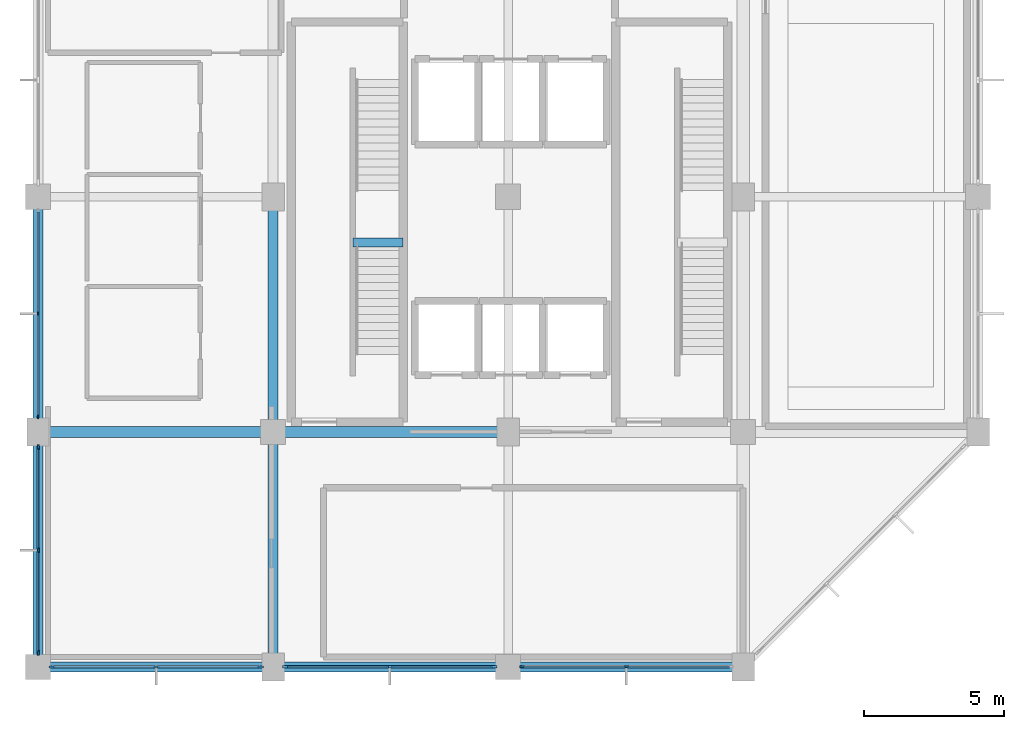
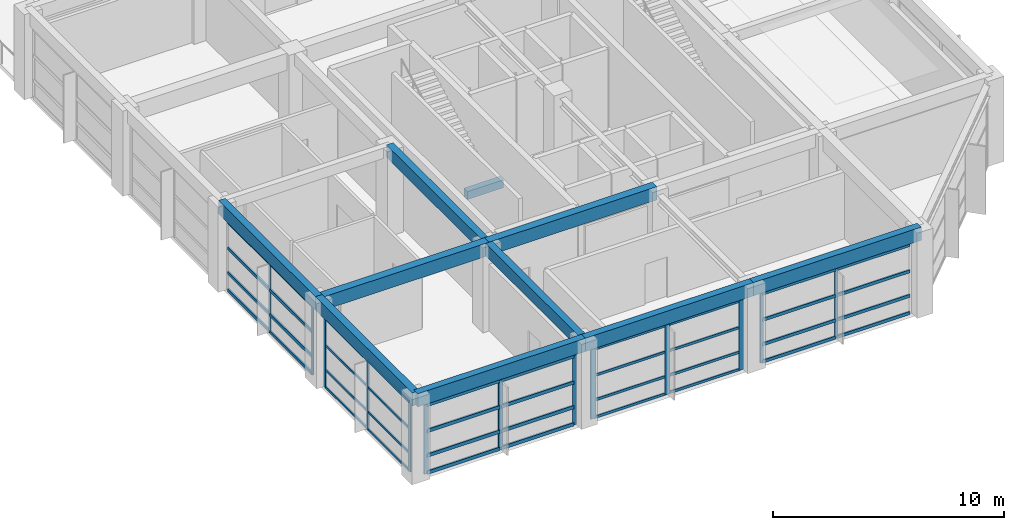
# One storey, part 2 of 10: 53 members, 10 beams, 5 elements without a shape of their own.
"""IFC4 building model written with IfcOpenShell, lengths in metres."""

from ifc_helpers import new_model, si_unit, direction, frame, origin, origin_2d, place, context, subcontext, project, spatial, rectangle, extrude, material, material_profile, profile_set, type_object, element, aggregate, save


model = new_model("IFC4")

# Units and contexts
model_context = context("Model", 3, precision=1e-05, world=origin(), true_north=direction((0.0, 1.0)))
body_context = subcontext(model_context, "Body", "Model", "MODEL_VIEW")
ifc_project = project(units=[si_unit("LENGTHUNIT", "METRE"), si_unit("AREAUNIT", "SQUARE_METRE"), si_unit("VOLUMEUNIT", "CUBIC_METRE"), si_unit("PLANEANGLEUNIT", "RADIAN"), si_unit("MASSUNIT", "GRAM", prefix="KILO")], contexts=[model_context])

# Site, building, storey
site_placement = place(None, origin())
site = spatial("IfcSite", under=ifc_project, at=site_placement, CompositionType="ELEMENT")
building_placement = place(site_placement, origin())
building = spatial("IfcBuilding", under=site, at=building_placement, Name="Xuanlan Plaza Opera House", CompositionType="ELEMENT")
storey_placement = place(building_placement, frame((0.0, 0.0, 69.89990234375)))
storey = spatial("IfcBuildingStorey", under=building, at=storey_placement, Name="L16", CompositionType="ELEMENT", Elevation=69.89990234375)

# Curtain wall, members
ifc_material_1 = material(Name="Anodised Aluminium 6063-T6 and Low-E Glass", Category="aluminium")
curtain_wall_type_1 = type_object("IfcCurtainWallType", Name="ENV-CW-CW-01", PredefinedType="USERDEFINED", material=ifc_material_1)
curtain_wall_1_placement = place(storey_placement, origin())
curtain_wall_1 = element("IfcCurtainWall", 1, at=curtain_wall_1_placement, inside=storey, type_object=curtain_wall_type_1, Name="Unitised Curtain Wall L16-003", ObjectType="UNITISED CURTAIN WALL", PredefinedType="USERDEFINED")
ifc_material_2 = material(Name="Anodised Aluminium 6063-T6", Category="aluminium")
ifc_material_profile_1 = material_profile(ifc_material_2, rectangle(XDim=0.06494140625, YDim=0.159912109375, at=origin_2d()), Name="ALU-M 65x160")
ifc_profile_set_1 = profile_set([ifc_material_profile_1], Name="Anodised Aluminium 6063-T6")
member_type_1 = type_object("IfcMemberType", Name="ENV-CWM-01", PredefinedType="MULLION", material=ifc_profile_set_1)
member_1_placement = place(storey_placement, frame((143.302490234375, 42.0, 0.0), z_axis=(0.0, 0.0, 1.0), x_axis=(0.0, 1.0, 0.0)))
member_1 = element("IfcMember", 2, at=member_1_placement, type_object=member_type_1, Name="CW-01 mullion 1", PredefinedType="MULLION", context=body_context, shape_type="SweptSolid", body=[
    extrude(rectangle(XDim=0.06494140625, YDim=0.159912109375, at=origin_2d()), origin(), (0.0, 0.0, 1.0), 3.68017578125),
])
member_2_placement = place(storey_placement, frame((147.02490234375, 42.0, 0.0), z_axis=(0.0, 0.0, 1.0), x_axis=(0.0, 1.0, 0.0)))
member_2 = element("IfcMember", 3, at=member_2_placement, type_object=member_type_1, Name="CW-01 mullion 2", PredefinedType="MULLION", context=body_context, shape_type="SweptSolid", body=[
    extrude(rectangle(XDim=0.06494140625, YDim=0.159912109375, at=origin_2d()), origin(), (0.0, 0.0, 1.0), 3.68017578125),
])

curtain_wall_type_2 = type_object("IfcCurtainWallType", Name="ENV-CW-CW-03", PredefinedType="USERDEFINED", material=ifc_material_1)
curtain_wall_2_placement = place(storey_placement, origin())
curtain_wall_2 = element("IfcCurtainWall", 4, at=curtain_wall_2_placement, inside=storey, type_object=curtain_wall_type_2, Name="Unitised Curtain Wall L16-013", ObjectType="UNITISED CURTAIN WALL", PredefinedType="USERDEFINED")
member_3_placement = place(storey_placement, frame((126.0, 54.625, 0.0), z_axis=(0.0, 0.0, 1.0), x_axis=(1.0, 0.0, 0.0)))
member_3 = element("IfcMember", 5, at=member_3_placement, type_object=member_type_1, Name="CW-03 mullion 2", PredefinedType="MULLION", context=body_context, shape_type="SweptSolid", body=[
    extrude(rectangle(XDim=0.06494140625, YDim=0.159912109375, at=origin_2d()), origin(), (0.0, 0.0, 1.0), 3.68017578125),
])
member_4_placement = place(storey_placement, frame((126.0, 50.952392578125, 0.0), z_axis=(0.0, 0.0, 1.0), x_axis=(1.0, 0.0, 0.0)))
member_4 = element("IfcMember", 6, at=member_4_placement, type_object=member_type_1, Name="CW-03 mullion 3", PredefinedType="MULLION", context=body_context, shape_type="SweptSolid", body=[
    extrude(rectangle(XDim=0.06494140625, YDim=0.159912109375, at=origin_2d()), origin(), (0.0, 0.0, 1.0), 3.68017578125),
])

curtain_wall_type_3 = type_object("IfcCurtainWallType", Name="ENV-CW-CW-04", PredefinedType="USERDEFINED", material=ifc_material_1)
curtain_wall_3_placement = place(storey_placement, origin())
curtain_wall_3 = element("IfcCurtainWall", 7, at=curtain_wall_3_placement, inside=storey, type_object=curtain_wall_type_3, Name="Unitised Curtain Wall L16-014", ObjectType="UNITISED CURTAIN WALL", PredefinedType="USERDEFINED")
ifc_material_profile_2 = material_profile(ifc_material_2, rectangle(XDim=0.070068359375, YDim=0.179931640625, at=origin_2d()), Name="ALU-M 70x180")
ifc_profile_set_2 = profile_set([ifc_material_profile_2], Name="Anodised Aluminium 6063-T6")
member_type_2 = type_object("IfcMemberType", Name="ENV-CWM-02", PredefinedType="MULLION", material=ifc_profile_set_2)
member_5_placement = place(storey_placement, frame((126.0, 49.844970703125, 0.0), z_axis=(0.0, 0.0, 1.0), x_axis=(1.0, 0.0, 0.0)))
member_5 = element("IfcMember", 8, at=member_5_placement, type_object=member_type_2, Name="CW-04 mullion 1", PredefinedType="MULLION", context=body_context, shape_type="SweptSolid", body=[
    extrude(rectangle(XDim=0.070068359375, YDim=0.179931640625, at=origin_2d()), origin(), (0.0, 0.0, 1.0), 3.68017578125),
])
member_6_placement = place(storey_placement, frame((126.0, 46.175048828125, 0.0), z_axis=(0.0, 0.0, 1.0), x_axis=(1.0, 0.0, 0.0)))
member_6 = element("IfcMember", 9, at=member_6_placement, type_object=member_type_2, Name="CW-04 mullion 2", PredefinedType="MULLION", context=body_context, shape_type="SweptSolid", body=[
    extrude(rectangle(XDim=0.070068359375, YDim=0.179931640625, at=origin_2d()), origin(), (0.0, 0.0, 1.0), 3.68017578125),
])
member_7_placement = place(storey_placement, frame((126.0, 42.5048828125, 0.0), z_axis=(0.0, 0.0, 1.0), x_axis=(1.0, 0.0, 0.0)))
member_7 = element("IfcMember", 10, at=member_7_placement, type_object=member_type_2, Name="CW-04 mullion 3", PredefinedType="MULLION", context=body_context, shape_type="SweptSolid", body=[
    extrude(rectangle(XDim=0.070068359375, YDim=0.179931640625, at=origin_2d()), origin(), (0.0, 0.0, 1.0), 3.68017578125),
])

curtain_wall_4_placement = place(storey_placement, origin())
curtain_wall_4 = element("IfcCurtainWall", 11, at=curtain_wall_4_placement, inside=storey, type_object=curtain_wall_type_2, Name="Unitised Curtain Wall L16-001", ObjectType="UNITISED CURTAIN WALL", PredefinedType="USERDEFINED")
ifc_material_profile_3 = material_profile(ifc_material_2, rectangle(XDim=0.080078125, YDim=0.219970703125, at=origin_2d()), Name="ALU-M 80x220")
ifc_profile_set_3 = profile_set([ifc_material_profile_3], Name="Anodised Aluminium 6063-T6")
member_type_3 = type_object("IfcMemberType", Name="ENV-CWM-04", PredefinedType="MULLION", material=ifc_profile_set_3)
member_8_placement = place(storey_placement, frame((126.510009765625, 42.0, 0.0), z_axis=(0.0, 0.0, 1.0), x_axis=(0.0, 1.0, 0.0)))
member_8 = element("IfcMember", 12, at=member_8_placement, type_object=member_type_3, Name="CW-03 mullion 1", PredefinedType="MULLION", context=body_context, shape_type="SweptSolid", body=[
    extrude(rectangle(XDim=0.080078125, YDim=0.219970703125, at=origin_2d()), origin(), (0.0, 0.0, 1.0), 3.68017578125),
])
member_9_placement = place(storey_placement, frame((130.22509765625, 42.0, 0.0), z_axis=(0.0, 0.0, 1.0), x_axis=(0.0, 1.0, 0.0)))
member_9 = element("IfcMember", 13, at=member_9_placement, type_object=member_type_3, Name="CW-03 mullion 2", PredefinedType="MULLION", context=body_context, shape_type="SweptSolid", body=[
    extrude(rectangle(XDim=0.080078125, YDim=0.219970703125, at=origin_2d()), origin(), (0.0, 0.0, 1.0), 3.68017578125),
])
member_10_placement = place(storey_placement, frame((133.93994140625, 42.0, 0.0), z_axis=(0.0, 0.0, 1.0), x_axis=(0.0, 1.0, 0.0)))
member_10 = element("IfcMember", 14, at=member_10_placement, type_object=member_type_3, Name="CW-03 mullion 3", PredefinedType="MULLION", context=body_context, shape_type="SweptSolid", body=[
    extrude(rectangle(XDim=0.080078125, YDim=0.219970703125, at=origin_2d()), origin(), (0.0, 0.0, 1.0), 3.68017578125),
])

curtain_wall_5_placement = place(storey_placement, origin())
curtain_wall_5 = element("IfcCurtainWall", 15, at=curtain_wall_5_placement, inside=storey, type_object=curtain_wall_type_3, Name="Unitised Curtain Wall L16-002", ObjectType="UNITISED CURTAIN WALL", PredefinedType="USERDEFINED")
ifc_material_profile_4 = material_profile(ifc_material_2, rectangle(XDim=0.090087890625, YDim=0.25, at=origin_2d()), Name="ALU-M 90x250")
ifc_profile_set_4 = profile_set([ifc_material_profile_4], Name="Anodised Aluminium 6063-T6")
member_type_4 = type_object("IfcMemberType", Name="ENV-CWM-05", PredefinedType="MULLION", material=ifc_profile_set_4)
member_11_placement = place(storey_placement, frame((134.864990234375, 42.0, 0.0), z_axis=(0.0, 0.0, 1.0), x_axis=(0.0, 1.0, 0.0)))
member_11 = element("IfcMember", 16, at=member_11_placement, type_object=member_type_4, Name="CW-04 mullion 1", PredefinedType="MULLION", context=body_context, shape_type="SweptSolid", body=[
    extrude(rectangle(XDim=0.090087890625, YDim=0.25, at=origin_2d()), origin(), (0.0, 0.0, 1.0), 3.68017578125),
])
member_12_placement = place(storey_placement, frame((138.574951171875, 42.0, 0.0), z_axis=(0.0, 0.0, 1.0), x_axis=(0.0, 1.0, 0.0)))
member_12 = element("IfcMember", 17, at=member_12_placement, type_object=member_type_4, Name="CW-04 mullion 2", PredefinedType="MULLION", context=body_context, shape_type="SweptSolid", body=[
    extrude(rectangle(XDim=0.090087890625, YDim=0.25, at=origin_2d()), origin(), (0.0, 0.0, 1.0), 3.68017578125),
])
member_13_placement = place(storey_placement, frame((142.284912109375, 42.0, 0.0), z_axis=(0.0, 0.0, 1.0), x_axis=(0.0, 1.0, 0.0)))
member_13 = element("IfcMember", 18, at=member_13_placement, type_object=member_type_4, Name="CW-04 mullion 3", PredefinedType="MULLION", context=body_context, shape_type="SweptSolid", body=[
    extrude(rectangle(XDim=0.090087890625, YDim=0.25, at=origin_2d()), origin(), (0.0, 0.0, 1.0), 3.68017578125),
])

# Member
ifc_material_profile_5 = material_profile(ifc_material_2, rectangle(XDim=0.06494140625, YDim=0.1201171875, at=origin_2d()), Name="ALU-T 65x120")
ifc_profile_set_5 = profile_set([ifc_material_profile_5], Name="Anodised Aluminium 6063-T6")
member_type_5 = type_object("IfcMemberType", Name="ENV-CWT-01", PredefinedType="USERDEFINED", material=ifc_profile_set_5)
member_14_placement = place(storey_placement, frame((126.0, 49.81005859375, 0.03271484375), z_axis=(0.0, -1.0, 0.0), x_axis=(1.0, 0.0, 0.0)))
member_14 = element("IfcMember", 19, at=member_14_placement, type_object=member_type_5, Name="CW-04 transom 1.1", ObjectType="TRANSOM", PredefinedType="USERDEFINED", context=body_context, shape_type="SweptSolid", body=[
    extrude(rectangle(XDim=0.06494140625, YDim=0.1201171875, at=origin_2d()), origin(), (0.0, 0.0, 1.0), 3.60009765625),
])

member_15_placement = place(storey_placement, frame((126.0, 49.81005859375, 0.9501953125), z_axis=(0.0, -1.0, 0.0), x_axis=(1.0, 0.0, 0.0)))
member_15 = element("IfcMember", 20, at=member_15_placement, type_object=member_type_5, Name="CW-04 transom 1.2", ObjectType="TRANSOM", PredefinedType="USERDEFINED", context=body_context, shape_type="SweptSolid", body=[
    extrude(rectangle(XDim=0.06494140625, YDim=0.1201171875, at=origin_2d()), origin(), (0.0, 0.0, 1.0), 3.60009765625),
])

member_16_placement = place(storey_placement, frame((126.0, 49.81005859375, 2.25), z_axis=(0.0, -1.0, 0.0), x_axis=(1.0, 0.0, 0.0)))
member_16 = element("IfcMember", 21, at=member_16_placement, type_object=member_type_5, Name="CW-04 transom 1.3", ObjectType="TRANSOM", PredefinedType="USERDEFINED", context=body_context, shape_type="SweptSolid", body=[
    extrude(rectangle(XDim=0.06494140625, YDim=0.1201171875, at=origin_2d()), origin(), (0.0, 0.0, 1.0), 3.60009765625),
])

member_17_placement = place(storey_placement, frame((126.0, 49.81005859375, 3.647705078125), z_axis=(0.0, -1.0, 0.0), x_axis=(1.0, 0.0, 0.0)))
member_17 = element("IfcMember", 22, at=member_17_placement, type_object=member_type_5, Name="CW-04 transom 1.4", ObjectType="TRANSOM", PredefinedType="USERDEFINED", context=body_context, shape_type="SweptSolid", body=[
    extrude(rectangle(XDim=0.06494140625, YDim=0.1201171875, at=origin_2d()), origin(), (0.0, 0.0, 1.0), 3.60009765625),
])

member_18_placement = place(storey_placement, frame((126.0, 46.139892578125, 0.03271484375), z_axis=(0.0, -1.0, 0.0), x_axis=(1.0, 0.0, 0.0)))
member_18 = element("IfcMember", 23, at=member_18_placement, type_object=member_type_5, Name="CW-04 transom 2.1", ObjectType="TRANSOM", PredefinedType="USERDEFINED", context=body_context, shape_type="SweptSolid", body=[
    extrude(rectangle(XDim=0.06494140625, YDim=0.1201171875, at=origin_2d()), origin(), (0.0, 0.0, 1.0), 3.599853515625),
])

member_19_placement = place(storey_placement, frame((126.0, 46.139892578125, 0.9501953125), z_axis=(0.0, -1.0, 0.0), x_axis=(1.0, 0.0, 0.0)))
member_19 = element("IfcMember", 24, at=member_19_placement, type_object=member_type_5, Name="CW-04 transom 2.2", ObjectType="TRANSOM", PredefinedType="USERDEFINED", context=body_context, shape_type="SweptSolid", body=[
    extrude(rectangle(XDim=0.06494140625, YDim=0.1201171875, at=origin_2d()), origin(), (0.0, 0.0, 1.0), 3.599853515625),
])

member_20_placement = place(storey_placement, frame((126.0, 46.139892578125, 2.25), z_axis=(0.0, -1.0, 0.0), x_axis=(1.0, 0.0, 0.0)))
member_20 = element("IfcMember", 25, at=member_20_placement, type_object=member_type_5, Name="CW-04 transom 2.3", ObjectType="TRANSOM", PredefinedType="USERDEFINED", context=body_context, shape_type="SweptSolid", body=[
    extrude(rectangle(XDim=0.06494140625, YDim=0.1201171875, at=origin_2d()), origin(), (0.0, 0.0, 1.0), 3.599853515625),
])

member_21_placement = place(storey_placement, frame((126.0, 46.139892578125, 3.647705078125), z_axis=(0.0, -1.0, 0.0), x_axis=(1.0, 0.0, 0.0)))
member_21 = element("IfcMember", 26, at=member_21_placement, type_object=member_type_5, Name="CW-04 transom 2.4", ObjectType="TRANSOM", PredefinedType="USERDEFINED", context=body_context, shape_type="SweptSolid", body=[
    extrude(rectangle(XDim=0.06494140625, YDim=0.1201171875, at=origin_2d()), origin(), (0.0, 0.0, 1.0), 3.599853515625),
])

aggregate(curtain_wall_3, [member_5, member_6, member_7, member_14, member_15, member_16, member_17, member_18, member_19, member_20, member_21])

ifc_material_profile_6 = material_profile(ifc_material_2, rectangle(XDim=0.070068359375, YDim=0.135009765625, at=origin_2d()), Name="ALU-T 70x135")
ifc_profile_set_6 = profile_set([ifc_material_profile_6], Name="Anodised Aluminium 6063-T6")
member_type_6 = type_object("IfcMemberType", Name="ENV-CWT-02", PredefinedType="USERDEFINED", material=ifc_profile_set_6)
member_22_placement = place(storey_placement, frame((134.909912109375, 42.0, 0.03515625), z_axis=(1.0, 0.0, 0.0), x_axis=(0.0, 1.0, 0.0)))
member_22 = element("IfcMember", 27, at=member_22_placement, type_object=member_type_6, Name="CW-04 transom 1.1", ObjectType="TRANSOM", PredefinedType="USERDEFINED", context=body_context, shape_type="SweptSolid", body=[
    extrude(rectangle(XDim=0.070068359375, YDim=0.135009765625, at=origin_2d()), origin(), (0.0, 0.0, 1.0), 3.6201171875),
])

member_23_placement = place(storey_placement, frame((134.909912109375, 42.0, 0.9501953125), z_axis=(1.0, 0.0, 0.0), x_axis=(0.0, 1.0, 0.0)))
member_23 = element("IfcMember", 28, at=member_23_placement, type_object=member_type_6, Name="CW-04 transom 1.2", ObjectType="TRANSOM", PredefinedType="USERDEFINED", context=body_context, shape_type="SweptSolid", body=[
    extrude(rectangle(XDim=0.070068359375, YDim=0.135009765625, at=origin_2d()), origin(), (0.0, 0.0, 1.0), 3.6201171875),
])

member_24_placement = place(storey_placement, frame((134.909912109375, 42.0, 2.25), z_axis=(1.0, 0.0, 0.0), x_axis=(0.0, 1.0, 0.0)))
member_24 = element("IfcMember", 29, at=member_24_placement, type_object=member_type_6, Name="CW-04 transom 1.3", ObjectType="TRANSOM", PredefinedType="USERDEFINED", context=body_context, shape_type="SweptSolid", body=[
    extrude(rectangle(XDim=0.070068359375, YDim=0.135009765625, at=origin_2d()), origin(), (0.0, 0.0, 1.0), 3.6201171875),
])

member_25_placement = place(storey_placement, frame((134.909912109375, 42.0, 3.64501953125), z_axis=(1.0, 0.0, 0.0), x_axis=(0.0, 1.0, 0.0)))
member_25 = element("IfcMember", 30, at=member_25_placement, type_object=member_type_6, Name="CW-04 transom 1.4", ObjectType="TRANSOM", PredefinedType="USERDEFINED", context=body_context, shape_type="SweptSolid", body=[
    extrude(rectangle(XDim=0.070068359375, YDim=0.135009765625, at=origin_2d()), origin(), (0.0, 0.0, 1.0), 3.6201171875),
])

member_26_placement = place(storey_placement, frame((138.6201171875, 42.0, 0.03515625), z_axis=(1.0, 0.0, 0.0), x_axis=(0.0, 1.0, 0.0)))
member_26 = element("IfcMember", 31, at=member_26_placement, type_object=member_type_6, Name="CW-04 transom 2.1", ObjectType="TRANSOM", PredefinedType="USERDEFINED", context=body_context, shape_type="SweptSolid", body=[
    extrude(rectangle(XDim=0.070068359375, YDim=0.135009765625, at=origin_2d()), origin(), (0.0, 0.0, 1.0), 3.619873046875),
])

member_27_placement = place(storey_placement, frame((138.6201171875, 42.0, 0.9501953125), z_axis=(1.0, 0.0, 0.0), x_axis=(0.0, 1.0, 0.0)))
member_27 = element("IfcMember", 32, at=member_27_placement, type_object=member_type_6, Name="CW-04 transom 2.2", ObjectType="TRANSOM", PredefinedType="USERDEFINED", context=body_context, shape_type="SweptSolid", body=[
    extrude(rectangle(XDim=0.070068359375, YDim=0.135009765625, at=origin_2d()), origin(), (0.0, 0.0, 1.0), 3.619873046875),
])

member_28_placement = place(storey_placement, frame((138.6201171875, 42.0, 2.25), z_axis=(1.0, 0.0, 0.0), x_axis=(0.0, 1.0, 0.0)))
member_28 = element("IfcMember", 33, at=member_28_placement, type_object=member_type_6, Name="CW-04 transom 2.3", ObjectType="TRANSOM", PredefinedType="USERDEFINED", context=body_context, shape_type="SweptSolid", body=[
    extrude(rectangle(XDim=0.070068359375, YDim=0.135009765625, at=origin_2d()), origin(), (0.0, 0.0, 1.0), 3.619873046875),
])

member_29_placement = place(storey_placement, frame((138.6201171875, 42.0, 3.64501953125), z_axis=(1.0, 0.0, 0.0), x_axis=(0.0, 1.0, 0.0)))
member_29 = element("IfcMember", 34, at=member_29_placement, type_object=member_type_6, Name="CW-04 transom 2.4", ObjectType="TRANSOM", PredefinedType="USERDEFINED", context=body_context, shape_type="SweptSolid", body=[
    extrude(rectangle(XDim=0.070068359375, YDim=0.135009765625, at=origin_2d()), origin(), (0.0, 0.0, 1.0), 3.619873046875),
])

aggregate(curtain_wall_5, [member_11, member_12, member_13, member_22, member_23, member_24, member_25, member_26, member_27, member_28, member_29])

ifc_material_profile_7 = material_profile(ifc_material_2, rectangle(XDim=0.080078125, YDim=0.1650390625, at=origin_2d()), Name="ALU-T 80x165")
ifc_profile_set_7 = profile_set([ifc_material_profile_7], Name="Anodised Aluminium 6063-T6")
member_type_7 = type_object("IfcMemberType", Name="ENV-CWT-04", PredefinedType="USERDEFINED", material=ifc_profile_set_7)
member_30_placement = place(storey_placement, frame((143.3349609375, 42.0, 0.0400390625), z_axis=(1.0, 0.0, 0.0), x_axis=(0.0, 1.0, 0.0)))
member_30 = element("IfcMember", 35, at=member_30_placement, type_object=member_type_7, Name="CW-01 transom 1.1", ObjectType="TRANSOM", PredefinedType="USERDEFINED", context=body_context, shape_type="SweptSolid", body=[
    extrude(rectangle(XDim=0.080078125, YDim=0.1650390625, at=origin_2d()), origin(), (0.0, 0.0, 1.0), 3.657470703125),
])

member_31_placement = place(storey_placement, frame((143.3349609375, 42.0, 0.9501953125), z_axis=(1.0, 0.0, 0.0), x_axis=(0.0, 1.0, 0.0)))
member_31 = element("IfcMember", 36, at=member_31_placement, type_object=member_type_7, Name="CW-01 transom 1.2", ObjectType="TRANSOM", PredefinedType="USERDEFINED", context=body_context, shape_type="SweptSolid", body=[
    extrude(rectangle(XDim=0.080078125, YDim=0.1650390625, at=origin_2d()), origin(), (0.0, 0.0, 1.0), 3.657470703125),
])

member_32_placement = place(storey_placement, frame((143.3349609375, 42.0, 2.25), z_axis=(1.0, 0.0, 0.0), x_axis=(0.0, 1.0, 0.0)))
member_32 = element("IfcMember", 37, at=member_32_placement, type_object=member_type_7, Name="CW-01 transom 1.3", ObjectType="TRANSOM", PredefinedType="USERDEFINED", context=body_context, shape_type="SweptSolid", body=[
    extrude(rectangle(XDim=0.080078125, YDim=0.1650390625, at=origin_2d()), origin(), (0.0, 0.0, 1.0), 3.657470703125),
])

member_33_placement = place(storey_placement, frame((143.3349609375, 42.0, 3.64013671875), z_axis=(1.0, 0.0, 0.0), x_axis=(0.0, 1.0, 0.0)))
member_33 = element("IfcMember", 38, at=member_33_placement, type_object=member_type_7, Name="CW-01 transom 1.4", ObjectType="TRANSOM", PredefinedType="USERDEFINED", context=body_context, shape_type="SweptSolid", body=[
    extrude(rectangle(XDim=0.080078125, YDim=0.1650390625, at=origin_2d()), origin(), (0.0, 0.0, 1.0), 3.657470703125),
])

member_34_placement = place(storey_placement, frame((147.0576171875, 42.0, 0.0400390625), z_axis=(1.0, 0.0, 0.0), x_axis=(0.0, 1.0, 0.0)))
member_34 = element("IfcMember", 39, at=member_34_placement, type_object=member_type_7, Name="CW-01 transom 2.1", ObjectType="TRANSOM", PredefinedType="USERDEFINED", context=body_context, shape_type="SweptSolid", body=[
    extrude(rectangle(XDim=0.080078125, YDim=0.1650390625, at=origin_2d()), origin(), (0.0, 0.0, 1.0), 3.657470703125),
])

member_35_placement = place(storey_placement, frame((147.0576171875, 42.0, 0.9501953125), z_axis=(1.0, 0.0, 0.0), x_axis=(0.0, 1.0, 0.0)))
member_35 = element("IfcMember", 40, at=member_35_placement, type_object=member_type_7, Name="CW-01 transom 2.2", ObjectType="TRANSOM", PredefinedType="USERDEFINED", context=body_context, shape_type="SweptSolid", body=[
    extrude(rectangle(XDim=0.080078125, YDim=0.1650390625, at=origin_2d()), origin(), (0.0, 0.0, 1.0), 3.657470703125),
])

member_36_placement = place(storey_placement, frame((147.0576171875, 42.0, 2.25), z_axis=(1.0, 0.0, 0.0), x_axis=(0.0, 1.0, 0.0)))
member_36 = element("IfcMember", 41, at=member_36_placement, type_object=member_type_7, Name="CW-01 transom 2.3", ObjectType="TRANSOM", PredefinedType="USERDEFINED", context=body_context, shape_type="SweptSolid", body=[
    extrude(rectangle(XDim=0.080078125, YDim=0.1650390625, at=origin_2d()), origin(), (0.0, 0.0, 1.0), 3.657470703125),
])

member_37_placement = place(storey_placement, frame((147.0576171875, 42.0, 3.64013671875), z_axis=(1.0, 0.0, 0.0), x_axis=(0.0, 1.0, 0.0)))
member_37 = element("IfcMember", 42, at=member_37_placement, type_object=member_type_7, Name="CW-01 transom 2.4", ObjectType="TRANSOM", PredefinedType="USERDEFINED", context=body_context, shape_type="SweptSolid", body=[
    extrude(rectangle(XDim=0.080078125, YDim=0.1650390625, at=origin_2d()), origin(), (0.0, 0.0, 1.0), 3.657470703125),
])

aggregate(curtain_wall_1, [member_1, member_2, member_30, member_31, member_32, member_33, member_34, member_35, member_36, member_37])

member_38_placement = place(storey_placement, frame((126.0, 58.264892578125, 0.0400390625), z_axis=(0.0, -1.0, 0.0), x_axis=(1.0, 0.0, 0.0)))
member_38 = element("IfcMember", 43, at=member_38_placement, type_object=member_type_7, Name="CW-03 transom 1.1", ObjectType="TRANSOM", PredefinedType="USERDEFINED", context=body_context, shape_type="SweptSolid", body=[
    extrude(rectangle(XDim=0.080078125, YDim=0.1650390625, at=origin_2d()), origin(), (0.0, 0.0, 1.0), 3.607421875),
])

member_39_placement = place(storey_placement, frame((126.0, 58.264892578125, 0.9501953125), z_axis=(0.0, -1.0, 0.0), x_axis=(1.0, 0.0, 0.0)))
member_39 = element("IfcMember", 44, at=member_39_placement, type_object=member_type_7, Name="CW-03 transom 1.2", ObjectType="TRANSOM", PredefinedType="USERDEFINED", context=body_context, shape_type="SweptSolid", body=[
    extrude(rectangle(XDim=0.080078125, YDim=0.1650390625, at=origin_2d()), origin(), (0.0, 0.0, 1.0), 3.607421875),
])

member_40_placement = place(storey_placement, frame((126.0, 58.264892578125, 2.25), z_axis=(0.0, -1.0, 0.0), x_axis=(1.0, 0.0, 0.0)))
member_40 = element("IfcMember", 45, at=member_40_placement, type_object=member_type_7, Name="CW-03 transom 1.3", ObjectType="TRANSOM", PredefinedType="USERDEFINED", context=body_context, shape_type="SweptSolid", body=[
    extrude(rectangle(XDim=0.080078125, YDim=0.1650390625, at=origin_2d()), origin(), (0.0, 0.0, 1.0), 3.607421875),
])

member_41_placement = place(storey_placement, frame((126.0, 58.264892578125, 3.64013671875), z_axis=(0.0, -1.0, 0.0), x_axis=(1.0, 0.0, 0.0)))
member_41 = element("IfcMember", 46, at=member_41_placement, type_object=member_type_7, Name="CW-03 transom 1.4", ObjectType="TRANSOM", PredefinedType="USERDEFINED", context=body_context, shape_type="SweptSolid", body=[
    extrude(rectangle(XDim=0.080078125, YDim=0.1650390625, at=origin_2d()), origin(), (0.0, 0.0, 1.0), 3.607421875),
])

member_42_placement = place(storey_placement, frame((126.0, 54.592529296875, 0.0400390625), z_axis=(0.0, -1.0, 0.0), x_axis=(1.0, 0.0, 0.0)))
member_42 = element("IfcMember", 47, at=member_42_placement, type_object=member_type_7, Name="CW-03 transom 2.1", ObjectType="TRANSOM", PredefinedType="USERDEFINED", context=body_context, shape_type="SweptSolid", body=[
    extrude(rectangle(XDim=0.080078125, YDim=0.1650390625, at=origin_2d()), origin(), (0.0, 0.0, 1.0), 3.607421875),
])

member_43_placement = place(storey_placement, frame((126.0, 54.592529296875, 0.9501953125), z_axis=(0.0, -1.0, 0.0), x_axis=(1.0, 0.0, 0.0)))
member_43 = element("IfcMember", 48, at=member_43_placement, type_object=member_type_7, Name="CW-03 transom 2.2", ObjectType="TRANSOM", PredefinedType="USERDEFINED", context=body_context, shape_type="SweptSolid", body=[
    extrude(rectangle(XDim=0.080078125, YDim=0.1650390625, at=origin_2d()), origin(), (0.0, 0.0, 1.0), 3.607421875),
])

member_44_placement = place(storey_placement, frame((126.0, 54.592529296875, 2.25), z_axis=(0.0, -1.0, 0.0), x_axis=(1.0, 0.0, 0.0)))
member_44 = element("IfcMember", 49, at=member_44_placement, type_object=member_type_7, Name="CW-03 transom 2.3", ObjectType="TRANSOM", PredefinedType="USERDEFINED", context=body_context, shape_type="SweptSolid", body=[
    extrude(rectangle(XDim=0.080078125, YDim=0.1650390625, at=origin_2d()), origin(), (0.0, 0.0, 1.0), 3.607421875),
])

member_45_placement = place(storey_placement, frame((126.0, 54.592529296875, 3.64013671875), z_axis=(0.0, -1.0, 0.0), x_axis=(1.0, 0.0, 0.0)))
member_45 = element("IfcMember", 50, at=member_45_placement, type_object=member_type_7, Name="CW-03 transom 2.4", ObjectType="TRANSOM", PredefinedType="USERDEFINED", context=body_context, shape_type="SweptSolid", body=[
    extrude(rectangle(XDim=0.080078125, YDim=0.1650390625, at=origin_2d()), origin(), (0.0, 0.0, 1.0), 3.607421875),
])

aggregate(curtain_wall_2, [member_3, member_4, member_38, member_39, member_40, member_41, member_42, member_43, member_44, member_45])

ifc_material_profile_8 = material_profile(ifc_material_2, rectangle(XDim=0.090087890625, YDim=0.179931640625, at=origin_2d()), Name="ALU-T 90x180")
ifc_profile_set_8 = profile_set([ifc_material_profile_8], Name="Anodised Aluminium 6063-T6")
member_type_8 = type_object("IfcMemberType", Name="ENV-CWT-05", PredefinedType="USERDEFINED", material=ifc_profile_set_8)
member_46_placement = place(storey_placement, frame((126.550048828125, 42.0, 0.045166015625), z_axis=(1.0, 0.0, 0.0), x_axis=(0.0, 1.0, 0.0)))
member_46 = element("IfcMember", 51, at=member_46_placement, type_object=member_type_8, Name="CW-03 transom 1.1", ObjectType="TRANSOM", PredefinedType="USERDEFINED", context=body_context, shape_type="SweptSolid", body=[
    extrude(rectangle(XDim=0.090087890625, YDim=0.179931640625, at=origin_2d()), origin(), (0.0, 0.0, 1.0), 3.635009765625),
])

member_47_placement = place(storey_placement, frame((126.550048828125, 42.0, 0.9501953125), z_axis=(1.0, 0.0, 0.0), x_axis=(0.0, 1.0, 0.0)))
member_47 = element("IfcMember", 52, at=member_47_placement, type_object=member_type_8, Name="CW-03 transom 1.2", ObjectType="TRANSOM", PredefinedType="USERDEFINED", context=body_context, shape_type="SweptSolid", body=[
    extrude(rectangle(XDim=0.090087890625, YDim=0.179931640625, at=origin_2d()), origin(), (0.0, 0.0, 1.0), 3.635009765625),
])

member_48_placement = place(storey_placement, frame((126.550048828125, 42.0, 2.25), z_axis=(1.0, 0.0, 0.0), x_axis=(0.0, 1.0, 0.0)))
member_48 = element("IfcMember", 53, at=member_48_placement, type_object=member_type_8, Name="CW-03 transom 1.3", ObjectType="TRANSOM", PredefinedType="USERDEFINED", context=body_context, shape_type="SweptSolid", body=[
    extrude(rectangle(XDim=0.090087890625, YDim=0.179931640625, at=origin_2d()), origin(), (0.0, 0.0, 1.0), 3.635009765625),
])

member_49_placement = place(storey_placement, frame((126.550048828125, 42.0, 3.635009765625), z_axis=(1.0, 0.0, 0.0), x_axis=(0.0, 1.0, 0.0)))
member_49 = element("IfcMember", 54, at=member_49_placement, type_object=member_type_8, Name="CW-03 transom 1.4", ObjectType="TRANSOM", PredefinedType="USERDEFINED", context=body_context, shape_type="SweptSolid", body=[
    extrude(rectangle(XDim=0.090087890625, YDim=0.179931640625, at=origin_2d()), origin(), (0.0, 0.0, 1.0), 3.635009765625),
])

member_50_placement = place(storey_placement, frame((130.264892578125, 42.0, 0.045166015625), z_axis=(1.0, 0.0, 0.0), x_axis=(0.0, 1.0, 0.0)))
member_50 = element("IfcMember", 55, at=member_50_placement, type_object=member_type_8, Name="CW-03 transom 2.1", ObjectType="TRANSOM", PredefinedType="USERDEFINED", context=body_context, shape_type="SweptSolid", body=[
    extrude(rectangle(XDim=0.090087890625, YDim=0.179931640625, at=origin_2d()), origin(), (0.0, 0.0, 1.0), 3.635009765625),
])

member_51_placement = place(storey_placement, frame((130.264892578125, 42.0, 0.9501953125), z_axis=(1.0, 0.0, 0.0), x_axis=(0.0, 1.0, 0.0)))
member_51 = element("IfcMember", 56, at=member_51_placement, type_object=member_type_8, Name="CW-03 transom 2.2", ObjectType="TRANSOM", PredefinedType="USERDEFINED", context=body_context, shape_type="SweptSolid", body=[
    extrude(rectangle(XDim=0.090087890625, YDim=0.179931640625, at=origin_2d()), origin(), (0.0, 0.0, 1.0), 3.635009765625),
])

member_52_placement = place(storey_placement, frame((130.264892578125, 42.0, 2.25), z_axis=(1.0, 0.0, 0.0), x_axis=(0.0, 1.0, 0.0)))
member_52 = element("IfcMember", 57, at=member_52_placement, type_object=member_type_8, Name="CW-03 transom 2.3", ObjectType="TRANSOM", PredefinedType="USERDEFINED", context=body_context, shape_type="SweptSolid", body=[
    extrude(rectangle(XDim=0.090087890625, YDim=0.179931640625, at=origin_2d()), origin(), (0.0, 0.0, 1.0), 3.635009765625),
])

member_53_placement = place(storey_placement, frame((130.264892578125, 42.0, 3.635009765625), z_axis=(1.0, 0.0, 0.0), x_axis=(0.0, 1.0, 0.0)))
member_53 = element("IfcMember", 58, at=member_53_placement, type_object=member_type_8, Name="CW-03 transom 2.4", ObjectType="TRANSOM", PredefinedType="USERDEFINED", context=body_context, shape_type="SweptSolid", body=[
    extrude(rectangle(XDim=0.090087890625, YDim=0.179931640625, at=origin_2d()), origin(), (0.0, 0.0, 1.0), 3.635009765625),
])

aggregate(curtain_wall_4, [member_8, member_9, member_10, member_46, member_47, member_48, member_49, member_50, member_51, member_52, member_53])

# Beams
ifc_material_3 = material(Name="Concrete C40", Category="concrete")
ifc_material_profile_9 = material_profile(ifc_material_3, rectangle(XDim=0.39990234375, YDim=0.699951171875, at=origin_2d()), Name="RC-BM 400x700")
ifc_profile_set_9 = profile_set([ifc_material_profile_9], Name="Concrete C40")
beam_type_1 = type_object("IfcBeamType", Name="STR-BM-B-07", PredefinedType="BEAM", material=ifc_profile_set_9)
beam_1_placement = place(storey_placement, frame((126.0, 50.39990234375, 4.150146484375), z_axis=(1.0, 0.0, 0.0), x_axis=(0.0, 1.0, 0.0)))
element("IfcBeam", 59, at=beam_1_placement, inside=storey, type_object=beam_type_1, Name="Grid Beam X L16 16-17/G", PredefinedType="BEAM", context=body_context, shape_type="SweptSolid", body=[
    extrude(rectangle(XDim=0.39990234375, YDim=0.699951171875, at=origin_2d()), origin(), (0.0, 0.0, 1.0), 8.39990234375),
])
beam_2_placement = place(storey_placement, frame((134.39990234375, 50.39990234375, 4.150146484375), z_axis=(1.0, 0.0, 0.0), x_axis=(0.0, 1.0, 0.0)))
element("IfcBeam", 60, at=beam_2_placement, inside=storey, type_object=beam_type_1, Name="Grid Beam X L16 17-18/G", PredefinedType="BEAM", context=body_context, shape_type="SweptSolid", body=[
    extrude(rectangle(XDim=0.39990234375, YDim=0.699951171875, at=origin_2d()), origin(), (0.0, 0.0, 1.0), 8.400146484375),
])
ifc_material_profile_10 = material_profile(ifc_material_3, rectangle(XDim=0.35009765625, YDim=0.64990234375, at=origin_2d()), Name="RC-BM 350x650")
ifc_profile_set_10 = profile_set([ifc_material_profile_10], Name="Concrete C40")
beam_type_2 = type_object("IfcBeamType", Name="STR-BM-B-08", PredefinedType="BEAM", material=ifc_profile_set_10)
beam_3_placement = place(storey_placement, frame((134.39990234375, 42.0, 4.175048828125), z_axis=(0.0, 1.0, 0.0), x_axis=(-1.0, 0.0, 0.0)))
element("IfcBeam", 61, at=beam_3_placement, inside=storey, type_object=beam_type_2, Name="Grid Beam Y L16 17/F-G", PredefinedType="BEAM", context=body_context, shape_type="SweptSolid", body=[
    extrude(rectangle(XDim=0.35009765625, YDim=0.64990234375, at=origin_2d()), origin(), (0.0, 0.0, 1.0), 8.39990234375),
])
beam_4_placement = place(storey_placement, frame((134.39990234375, 50.39990234375, 4.175048828125), z_axis=(0.0, 1.0, 0.0), x_axis=(-1.0, 0.0, 0.0)))
element("IfcBeam", 62, at=beam_4_placement, inside=storey, type_object=beam_type_2, Name="Grid Beam Y L16 17/G-H", PredefinedType="BEAM", context=body_context, shape_type="SweptSolid", body=[
    extrude(rectangle(XDim=0.35009765625, YDim=0.64990234375, at=origin_2d()), origin(), (0.0, 0.0, 1.0), 8.400146484375),
])
ifc_material_profile_11 = material_profile(ifc_material_3, rectangle(XDim=0.320068359375, YDim=0.419921875, at=origin_2d()), Name="RC-LNT 320x420")
ifc_profile_set_11 = profile_set([ifc_material_profile_11], Name="Concrete C40")
beam_type_3 = type_object("IfcBeamType", Name="STR-BM-LN-04", PredefinedType="LINTEL", material=ifc_profile_set_11)
beam_5_placement = place(storey_placement, frame((137.25, 57.159912109375, 1.840087890625), z_axis=(1.0, 0.0, 0.0), x_axis=(0.0, 1.0, 0.0)))
element("IfcBeam", 63, at=beam_5_placement, inside=storey, type_object=beam_type_3, Name="Stair Mid-Landing Trimmer Beam ST-T1 L16", PredefinedType="LINTEL", context=body_context, shape_type="SweptSolid", body=[
    extrude(rectangle(XDim=0.320068359375, YDim=0.419921875, at=origin_2d()), origin(), (0.0, 0.0, 1.0), 1.800048828125),
])
ifc_material_profile_12 = material_profile(ifc_material_3, rectangle(XDim=0.35009765625, YDim=0.699951171875, at=origin_2d()), Name="RC-SPD 350x700")
ifc_profile_set_12 = profile_set([ifc_material_profile_12], Name="Concrete C40")
beam_type_4 = type_object("IfcBeamType", Name="STR-BM-SP-02", PredefinedType="SPANDREL", material=ifc_profile_set_12)
beam_6_placement = place(storey_placement, frame((126.0, 42.0, 4.150146484375), z_axis=(1.0, 0.0, 0.0), x_axis=(0.0, 1.0, 0.0)))
element("IfcBeam", 64, at=beam_6_placement, inside=storey, type_object=beam_type_4, Name="Grid Beam X L16 16-17/F", PredefinedType="SPANDREL", context=body_context, shape_type="SweptSolid", body=[
    extrude(rectangle(XDim=0.35009765625, YDim=0.699951171875, at=origin_2d()), origin(), (0.0, 0.0, 1.0), 8.39990234375),
])
beam_7_placement = place(storey_placement, frame((134.39990234375, 42.0, 4.150146484375), z_axis=(1.0, 0.0, 0.0), x_axis=(0.0, 1.0, 0.0)))
element("IfcBeam", 65, at=beam_7_placement, inside=storey, type_object=beam_type_4, Name="Grid Beam X L16 17-18/F", PredefinedType="SPANDREL", context=body_context, shape_type="SweptSolid", body=[
    extrude(rectangle(XDim=0.35009765625, YDim=0.699951171875, at=origin_2d()), origin(), (0.0, 0.0, 1.0), 8.400146484375),
])
for number, where, z_axis, x_axis, name in (
    (66, (142.800048828125, 42.0, 4.150146484375), (1.0, 0.0, 0.0), (0.0, 1.0, 0.0), "Grid Beam X L16 18-19/F"),
    (67, (126.0, 42.0, 4.150146484375), (0.0, 1.0, 0.0), (-1.0, 0.0, 0.0), "Grid Beam Y L16 16/F-G"),
):
    element("IfcBeam", number, at=place(storey_placement, frame(where, z_axis=z_axis, x_axis=x_axis)), inside=storey, type_object=beam_type_4, Name=name, PredefinedType="SPANDREL", context=body_context, shape_type="SweptSolid", body=[
        extrude(rectangle(XDim=0.35009765625, YDim=0.699951171875, at=origin_2d()), origin(), (0.0, 0.0, 1.0), 8.39990234375),
    ])
beam_8_placement = place(storey_placement, frame((126.0, 50.39990234375, 4.150146484375), z_axis=(0.0, 1.0, 0.0), x_axis=(-1.0, 0.0, 0.0)))
element("IfcBeam", 68, at=beam_8_placement, inside=storey, type_object=beam_type_4, Name="Grid Beam Y L16 16/G-H", PredefinedType="SPANDREL", context=body_context, shape_type="SweptSolid", body=[
    extrude(rectangle(XDim=0.35009765625, YDim=0.699951171875, at=origin_2d()), origin(), (0.0, 0.0, 1.0), 8.400146484375),
])

save(model, "model.ifc")
